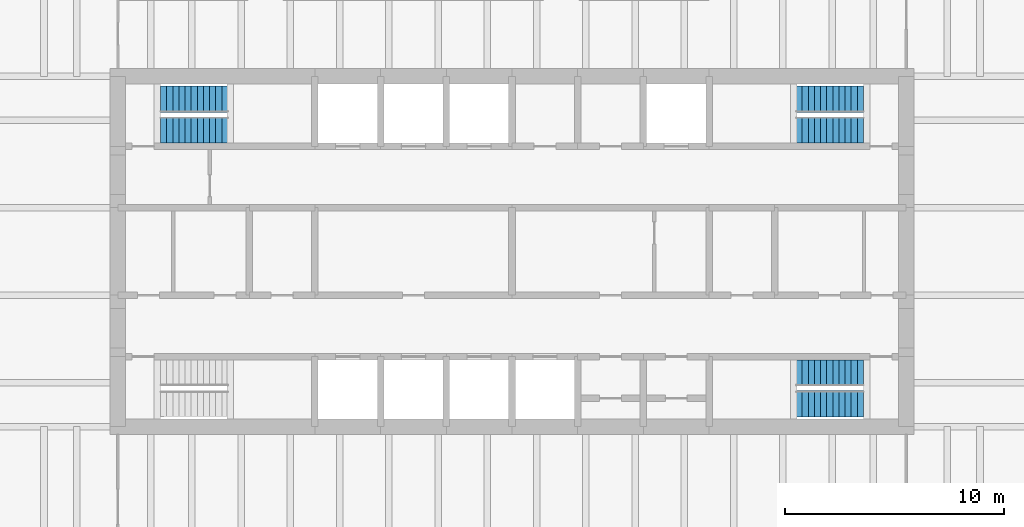
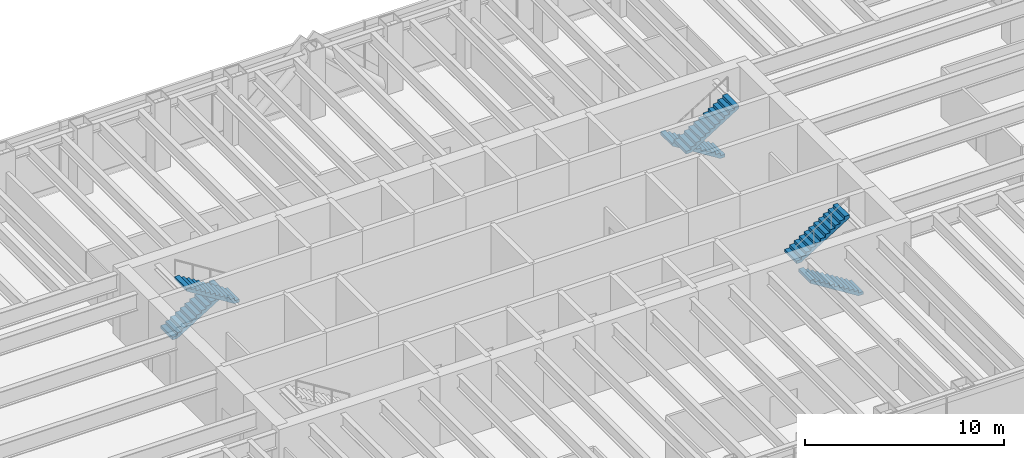
# One storey, part 14 of 15: 6 stair flights, 3 elements without a shape of their own.
"""IFC4 building model written with IfcOpenShell, lengths in metres."""

from ifc_helpers import new_model, si_unit, direction, frame, origin, place, context, subcontext, project, spatial, polyline, outline, extrude, material, type_object, element, aggregate, save


model = new_model("IFC4")

# Units and contexts
model_context = context("Model", 3, precision=1e-05, world=origin(), true_north=direction((0.0, 1.0)))
body_context = subcontext(model_context, "Body", "Model", "MODEL_VIEW")
ifc_project = project(units=[si_unit("LENGTHUNIT", "METRE"), si_unit("AREAUNIT", "SQUARE_METRE"), si_unit("VOLUMEUNIT", "CUBIC_METRE"), si_unit("PLANEANGLEUNIT", "RADIAN"), si_unit("MASSUNIT", "GRAM", prefix="KILO")], contexts=[model_context])

# Site, building, storey
site_placement = place(None, origin())
site = spatial("IfcSite", under=ifc_project, at=site_placement, CompositionType="ELEMENT")
building_placement = place(site_placement, origin())
building = spatial("IfcBuilding", under=site, at=building_placement, Name="Rheinbord Bourse Tower", CompositionType="ELEMENT")
storey_placement = place(building_placement, frame((0.0, 0.0, 329.89990234375)))
storey = spatial("IfcBuildingStorey", under=building, at=storey_placement, Name="L75", CompositionType="ELEMENT", Elevation=329.89990234375)

# Stair, stair flights
ifc_material_1 = material(Name="Concrete C30/37", Category="concrete")
stair_type = type_object("IfcStairType", Name="CORE STAIR HALF TURN 4200", PredefinedType="HALF_TURN_STAIR", material=ifc_material_1)
stair_1_placement = place(storey_placement, origin())
stair_1 = element("IfcStair", 1, at=stair_1_placement, inside=storey, type_object=stair_type, Name="Stair ST2 L75, type CS6", PredefinedType="HALF_TURN_STAIR")
ifc_material_2 = material(Name="Concrete C30/37", Category="concrete")
stair_flight_type = type_object("IfcStairFlightType", Name="CORE STAIR FLIGHT 1200, 12 RISERS", PredefinedType="STRAIGHT", material=ifc_material_2)
stair_flight_1_placement = place(storey_placement, frame((19.949951171875, 30.949951171875, 0.0), z_axis=(0.0, 0.0, 1.0), x_axis=(1.0, 0.0, 0.0)))
stair_flight_1 = element("IfcStairFlight", 2, at=stair_flight_1_placement, type_object=stair_flight_type, Name="STAIR L75 ST2 F1", NumberOfRisers=12, NumberOfTreads=11, PredefinedType="STRAIGHT", RiserHeight=0.175, TreadLength=0.28, context=body_context, shape_type="SweptSolid", body=[
    extrude(outline(polyline([(0.0, 0.0), (0.0, 0.175048828125), (0.280029296875, 0.175048828125), (0.280029296875, 0.35009765625), (0.56005859375, 0.35009765625), (0.56005859375, 0.52490234375), (0.840087890625, 0.52490234375), (0.840087890625, 0.699951171875), (1.1201171875, 0.699951171875), (1.1201171875, 0.875), (1.39990234375, 0.875), (1.39990234375, 1.050048828125), (1.679931640625, 1.050048828125), (1.679931640625, 1.22509765625), (1.9599609375, 1.22509765625), (1.9599609375, 1.39990234375), (2.239990234375, 1.39990234375), (2.239990234375, 1.574951171875), (2.52001953125, 1.574951171875), (2.52001953125, 1.75), (2.800048828125, 1.75), (2.800048828125, 1.925048828125), (3.080078125, 1.925048828125), (3.080078125, 2.10009765625), (3.080078125, 1.748291015625), (0.28271484375, 0.0), (0.0, 0.0)])), frame((0.0, 0.60009765625, 0.0), z_axis=(0.0, -1.0, 0.0), x_axis=(1.0, 0.0, 0.0)), (0.0, 0.0, 1.0), 1.199951171875),
])
stair_flight_2_placement = place(storey_placement, frame((23.030029296875, 29.550048828125, 2.10009765625), z_axis=(0.0, 0.0, 1.0), x_axis=(-1.0, 0.0, 0.0)))
stair_flight_2 = element("IfcStairFlight", 3, at=stair_flight_2_placement, type_object=stair_flight_type, Name="STAIR L75 ST2 F2", NumberOfRisers=12, NumberOfTreads=11, PredefinedType="STRAIGHT", RiserHeight=0.175, TreadLength=0.28, context=body_context, shape_type="SweptSolid", body=[
    extrude(outline(polyline([(0.0, 0.0), (0.0, 0.175048828125), (0.280029296875, 0.175048828125), (0.280029296875, 0.35009765625), (0.56005859375, 0.35009765625), (0.56005859375, 0.52490234375), (0.840087890625, 0.52490234375), (0.840087890625, 0.699951171875), (1.1201171875, 0.699951171875), (1.1201171875, 0.875), (1.39990234375, 0.875), (1.39990234375, 1.050048828125), (1.679931640625, 1.050048828125), (1.679931640625, 1.22509765625), (1.9599609375, 1.22509765625), (1.9599609375, 1.39990234375), (2.239990234375, 1.39990234375), (2.239990234375, 1.574951171875), (2.52001953125, 1.574951171875), (2.52001953125, 1.75), (2.800048828125, 1.75), (2.800048828125, 1.925048828125), (3.080078125, 1.925048828125), (3.080078125, 2.10009765625), (3.080078125, 1.748291015625), (0.28271484375, 0.0), (0.0, 0.0)])), frame((0.0, 0.60009765625, 0.0), z_axis=(0.0, -1.0, 0.0), x_axis=(1.0, 0.0, 0.0)), (0.0, 0.0, 1.0), 1.199951171875),
])
aggregate(stair_1, [stair_flight_1, stair_flight_2])

stair_2_placement = place(storey_placement, origin())
stair_2 = element("IfcStair", 4, at=stair_2_placement, inside=storey, type_object=stair_type, Name="Stair ST3 L75, type CS6", PredefinedType="HALF_TURN_STAIR")
stair_flight_3_placement = place(storey_placement, frame((52.050048828125, 17.050048828125, 0.0), z_axis=(0.0, 0.0, 1.0), x_axis=(-1.0, 0.0, 0.0)))
stair_flight_3 = element("IfcStairFlight", 5, at=stair_flight_3_placement, type_object=stair_flight_type, Name="STAIR L75 ST3 F1", NumberOfRisers=12, NumberOfTreads=11, PredefinedType="STRAIGHT", RiserHeight=0.175, TreadLength=0.28, context=body_context, shape_type="SweptSolid", body=[
    extrude(outline(polyline([(0.0, 0.0), (0.0, 0.175048828125), (0.280029296875, 0.175048828125), (0.280029296875, 0.35009765625), (0.56005859375, 0.35009765625), (0.56005859375, 0.52490234375), (0.840087890625, 0.52490234375), (0.840087890625, 0.699951171875), (1.1201171875, 0.699951171875), (1.1201171875, 0.875), (1.39990234375, 0.875), (1.39990234375, 1.050048828125), (1.679931640625, 1.050048828125), (1.679931640625, 1.22509765625), (1.9599609375, 1.22509765625), (1.9599609375, 1.39990234375), (2.239990234375, 1.39990234375), (2.239990234375, 1.574951171875), (2.52001953125, 1.574951171875), (2.52001953125, 1.75), (2.800048828125, 1.75), (2.800048828125, 1.925048828125), (3.080078125, 1.925048828125), (3.080078125, 2.10009765625), (3.080078125, 1.748291015625), (0.28271484375, 0.0), (0.0, 0.0)])), frame((0.0, 0.60009765625, 0.0), z_axis=(0.0, -1.0, 0.0), x_axis=(1.0, 0.0, 0.0)), (0.0, 0.0, 1.0), 1.199951171875),
])
stair_flight_4_placement = place(storey_placement, frame((48.969970703125, 18.449951171875, 2.10009765625), z_axis=(0.0, 0.0, 1.0), x_axis=(1.0, 0.0, 0.0)))
stair_flight_4 = element("IfcStairFlight", 6, at=stair_flight_4_placement, type_object=stair_flight_type, Name="STAIR L75 ST3 F2", NumberOfRisers=12, NumberOfTreads=11, PredefinedType="STRAIGHT", RiserHeight=0.175, TreadLength=0.28, context=body_context, shape_type="SweptSolid", body=[
    extrude(outline(polyline([(0.0, 0.0), (0.0, 0.175048828125), (0.280029296875, 0.175048828125), (0.280029296875, 0.35009765625), (0.56005859375, 0.35009765625), (0.56005859375, 0.52490234375), (0.840087890625, 0.52490234375), (0.840087890625, 0.699951171875), (1.1201171875, 0.699951171875), (1.1201171875, 0.875), (1.39990234375, 0.875), (1.39990234375, 1.050048828125), (1.679931640625, 1.050048828125), (1.679931640625, 1.22509765625), (1.9599609375, 1.22509765625), (1.9599609375, 1.39990234375), (2.239990234375, 1.39990234375), (2.239990234375, 1.574951171875), (2.52001953125, 1.574951171875), (2.52001953125, 1.75), (2.800048828125, 1.75), (2.800048828125, 1.925048828125), (3.080078125, 1.925048828125), (3.080078125, 2.10009765625), (3.080078125, 1.748291015625), (0.28271484375, 0.0), (0.0, 0.0)])), frame((0.0, 0.60009765625, 0.0), z_axis=(0.0, -1.0, 0.0), x_axis=(1.0, 0.0, 0.0)), (0.0, 0.0, 1.0), 1.199951171875),
])
aggregate(stair_2, [stair_flight_3, stair_flight_4])

stair_3_placement = place(storey_placement, origin())
stair_3 = element("IfcStair", 7, at=stair_3_placement, inside=storey, type_object=stair_type, Name="Stair ST4 L75, type CS6", PredefinedType="HALF_TURN_STAIR")
stair_flight_5_placement = place(storey_placement, frame((52.050048828125, 30.949951171875, 0.0), z_axis=(0.0, 0.0, 1.0), x_axis=(-1.0, 0.0, 0.0)))
stair_flight_5 = element("IfcStairFlight", 8, at=stair_flight_5_placement, type_object=stair_flight_type, Name="STAIR L75 ST4 F1", NumberOfRisers=12, NumberOfTreads=11, PredefinedType="STRAIGHT", RiserHeight=0.175, TreadLength=0.28, context=body_context, shape_type="SweptSolid", body=[
    extrude(outline(polyline([(0.0, 0.0), (0.0, 0.175048828125), (0.280029296875, 0.175048828125), (0.280029296875, 0.35009765625), (0.56005859375, 0.35009765625), (0.56005859375, 0.52490234375), (0.840087890625, 0.52490234375), (0.840087890625, 0.699951171875), (1.1201171875, 0.699951171875), (1.1201171875, 0.875), (1.39990234375, 0.875), (1.39990234375, 1.050048828125), (1.679931640625, 1.050048828125), (1.679931640625, 1.22509765625), (1.9599609375, 1.22509765625), (1.9599609375, 1.39990234375), (2.239990234375, 1.39990234375), (2.239990234375, 1.574951171875), (2.52001953125, 1.574951171875), (2.52001953125, 1.75), (2.800048828125, 1.75), (2.800048828125, 1.925048828125), (3.080078125, 1.925048828125), (3.080078125, 2.10009765625), (3.080078125, 1.748291015625), (0.28271484375, 0.0), (0.0, 0.0)])), frame((0.0, 0.60009765625, 0.0), z_axis=(0.0, -1.0, 0.0), x_axis=(1.0, 0.0, 0.0)), (0.0, 0.0, 1.0), 1.199951171875),
])
stair_flight_6_placement = place(storey_placement, frame((48.969970703125, 29.550048828125, 2.10009765625), z_axis=(0.0, 0.0, 1.0), x_axis=(1.0, 0.0, 0.0)))
stair_flight_6 = element("IfcStairFlight", 9, at=stair_flight_6_placement, type_object=stair_flight_type, Name="STAIR L75 ST4 F2", NumberOfRisers=12, NumberOfTreads=11, PredefinedType="STRAIGHT", RiserHeight=0.175, TreadLength=0.28, context=body_context, shape_type="SweptSolid", body=[
    extrude(outline(polyline([(0.0, 0.0), (0.0, 0.175048828125), (0.280029296875, 0.175048828125), (0.280029296875, 0.35009765625), (0.56005859375, 0.35009765625), (0.56005859375, 0.52490234375), (0.840087890625, 0.52490234375), (0.840087890625, 0.699951171875), (1.1201171875, 0.699951171875), (1.1201171875, 0.875), (1.39990234375, 0.875), (1.39990234375, 1.050048828125), (1.679931640625, 1.050048828125), (1.679931640625, 1.22509765625), (1.9599609375, 1.22509765625), (1.9599609375, 1.39990234375), (2.239990234375, 1.39990234375), (2.239990234375, 1.574951171875), (2.52001953125, 1.574951171875), (2.52001953125, 1.75), (2.800048828125, 1.75), (2.800048828125, 1.925048828125), (3.080078125, 1.925048828125), (3.080078125, 2.10009765625), (3.080078125, 1.748291015625), (0.28271484375, 0.0), (0.0, 0.0)])), frame((0.0, 0.60009765625, 0.0), z_axis=(0.0, -1.0, 0.0), x_axis=(1.0, 0.0, 0.0)), (0.0, 0.0, 1.0), 1.199951171875),
])
aggregate(stair_3, [stair_flight_5, stair_flight_6])

save(model, "model.ifc")
